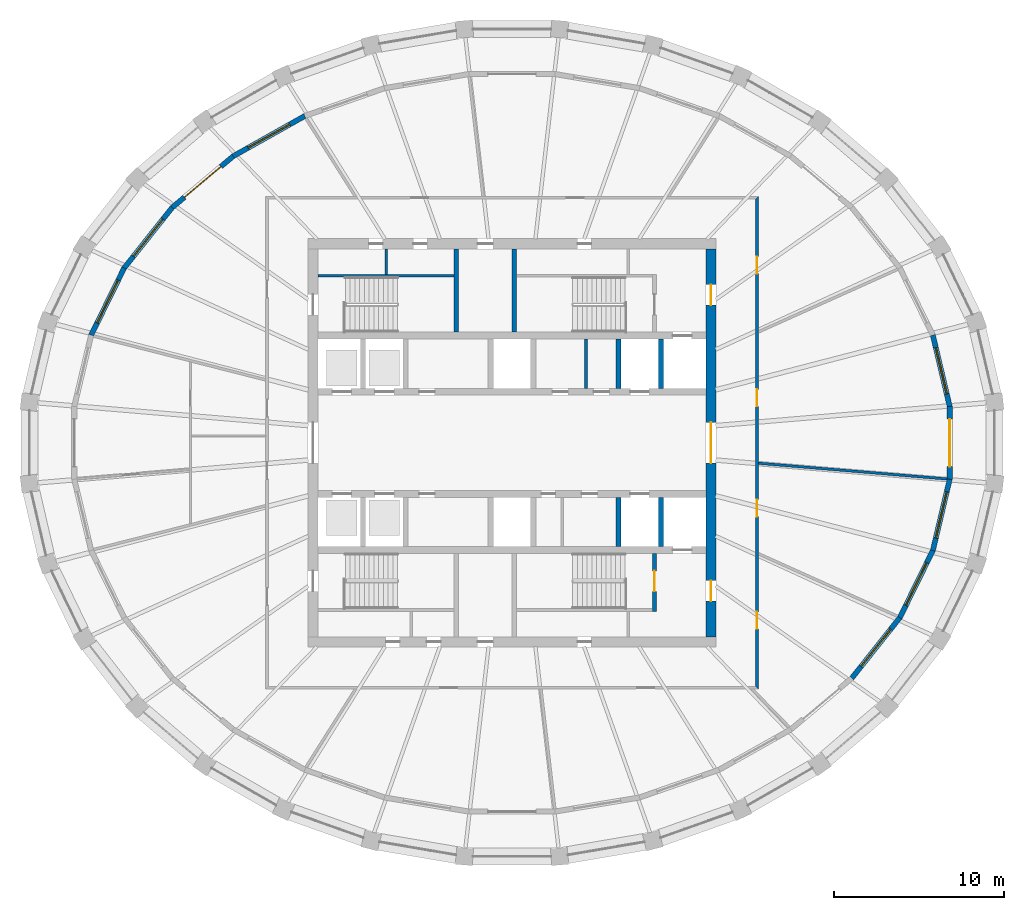
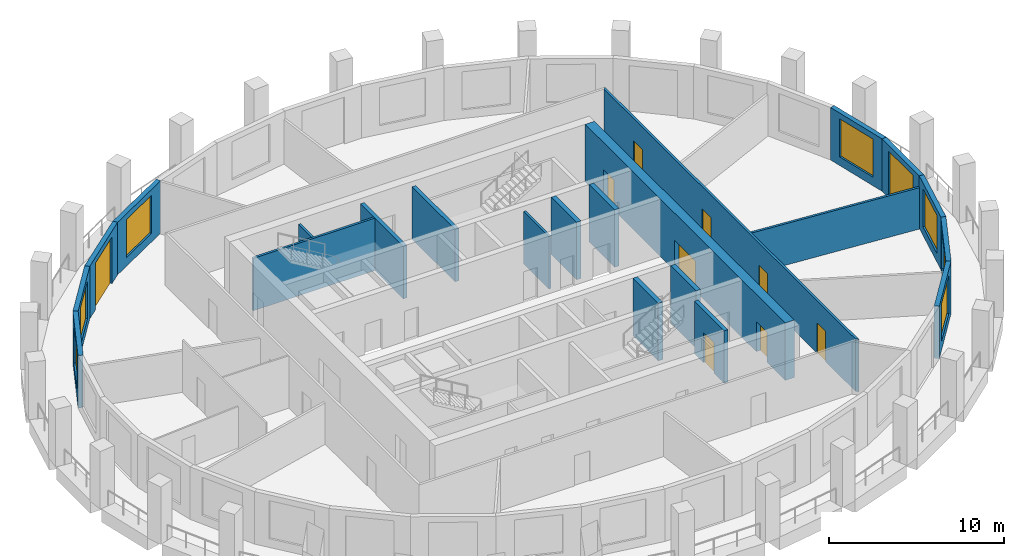
# One storey, part 5 of 10: 22 walls, 10 doors, 7 windows, 17 openings.
"""IFC4 building model written with IfcOpenShell, lengths in metres."""

from ifc_helpers import new_model, si_unit, direction, frame, frame_2d, origin, place, context, subcontext, project, spatial, polyline, rectangle, outline, extrude, material, layer, layer_set, type_object, element, fill, save


model = new_model("IFC4")

# Units and contexts
model_context = context("Model", 3, precision=1e-05, world=origin(), true_north=direction((0.0, 1.0)))
body_context = subcontext(model_context, "Body", "Model", "MODEL_VIEW")
ifc_project = project(units=[si_unit("LENGTHUNIT", "METRE"), si_unit("AREAUNIT", "SQUARE_METRE"), si_unit("VOLUMEUNIT", "CUBIC_METRE"), si_unit("PLANEANGLEUNIT", "RADIAN"), si_unit("MASSUNIT", "GRAM", prefix="KILO")], contexts=[model_context])

# Site, building, storey
site_placement = place(None, origin())
site = spatial("IfcSite", under=ifc_project, at=site_placement, CompositionType="ELEMENT")
building_placement = place(site_placement, origin())
building = spatial("IfcBuilding", under=site, at=building_placement, Name="Halqa Exchange Tower", CompositionType="ELEMENT")
storey_placement = place(building_placement, frame((0.0, 0.0, 324.300048828125)))
storey = spatial("IfcBuildingStorey", under=building, at=storey_placement, Name="L76", CompositionType="ELEMENT", Elevation=324.300048828125)

# Wall, openings, doors
ifc_material_1 = material(Name="Fire-rated gypsum board")
ifc_layer_1 = layer(ifc_material_1, 0.14990234375)
ifc_layer_set_1 = layer_set([ifc_layer_1], Name="Fire-rated gypsum board")
wall_type_1 = type_object("IfcWallType", Name="Fire partition EI 60 150", PredefinedType="PARTITIONING", material=ifc_layer_set_1)
wall_1_placement = place(storey_placement, frame((14.39990234375, -14.47509765625, 0.0), z_axis=(0.0, 0.0, 1.0), x_axis=(0.0, 1.0, 0.0)))
wall_1 = element("IfcWall", 1, at=wall_1_placement, inside=storey, type_object=wall_type_1, Name="L76-PWL-015", PredefinedType="PARTITIONING", context=body_context, shape_type="SweptSolid", body=[
    extrude(outline(polyline([(0.000244140625, -0.074951171875), (1.93017578125, -0.074951171875), (3.860107421875, -0.074951171875), (5.790283203125, -0.074951171875), (7.72021484375, -0.074951171875), (9.650146484375, -0.074951171875), (11.580078125, -0.074951171875), (13.510009765625, -0.074951171875), (15.440185546875, -0.074951171875), (17.3701171875, -0.074951171875), (19.300048828125, -0.074951171875), (21.22998046875, -0.074951171875), (23.159912109375, -0.074951171875), (25.090087890625, -0.074951171875), (27.02001953125, -0.074951171875), (28.949951171875, -0.074951171875), (28.800048828125, 0.074951171875), (26.89013671875, 0.074951171875), (24.97998046875, 0.074951171875), (23.070068359375, 0.074951171875), (21.16015625, 0.074951171875), (19.25, 0.074951171875), (17.340087890625, 0.074951171875), (15.43017578125, 0.074951171875), (13.52001953125, 0.074951171875), (11.610107421875, 0.074951171875), (9.7001953125, 0.074951171875), (7.7900390625, 0.074951171875), (5.880126953125, 0.074951171875), (3.97021484375, 0.074951171875), (2.06005859375, 0.074951171875), (0.150146484375, 0.074951171875), (0.000244140625, -0.074951171875)])), origin(), (0.0, 0.0, 1.0), 3.64990234375),
])
opening_1_placement = place(wall_1_placement, frame((24.4150390625, 0.0, 0.0)))
opening_1 = element("IfcOpeningElement", 2, at=opening_1_placement, cuts=wall_1, Name="Opening 23-01", PredefinedType="OPENING", context=body_context, shape_type="SweptSolid", body=[
    extrude(rectangle(XDim=1.0, YDim=2.10009765625, at=frame_2d((0.5, 1.050048828125))), frame((0.0, 0.0869140625, 0.0), z_axis=(0.0, -1.0, 0.0), x_axis=(1.0, 0.0, 0.0)), (0.0, 0.0, 1.0), 0.173828125),
])
opening_2_placement = place(wall_1_placement, frame((3.534912109375, 0.0, 0.0)))
opening_2 = element("IfcOpeningElement", 3, at=opening_2_placement, cuts=wall_1, Name="Opening 23-10", PredefinedType="OPENING", context=body_context, shape_type="SweptSolid", body=[
    extrude(rectangle(XDim=1.0, YDim=2.10009765625, at=frame_2d((0.5, 1.050048828125))), frame((0.0, 0.0869140625, 0.0), z_axis=(0.0, -1.0, 0.0), x_axis=(1.0, 0.0, 0.0)), (0.0, 0.0, 1.0), 0.173828125),
])
opening_3_placement = place(wall_1_placement, frame((10.139892578125, 0.0, 0.0)))
opening_3 = element("IfcOpeningElement", 4, at=opening_3_placement, cuts=wall_1, Name="Opening 23-11", PredefinedType="OPENING", context=body_context, shape_type="SweptSolid", body=[
    extrude(rectangle(XDim=1.0, YDim=2.10009765625, at=frame_2d((0.5, 1.050048828125))), frame((0.0, 0.0869140625, 0.0), z_axis=(0.0, -1.0, 0.0), x_axis=(1.0, 0.0, 0.0)), (0.0, 0.0, 1.0), 0.173828125),
])
opening_4_placement = place(wall_1_placement, frame((16.6201171875, 0.0, 0.0)))
opening_4 = element("IfcOpeningElement", 5, at=opening_4_placement, cuts=wall_1, Name="Opening 23-12", PredefinedType="OPENING", context=body_context, shape_type="SweptSolid", body=[
    extrude(rectangle(XDim=1.0, YDim=2.10009765625, at=frame_2d((0.5, 1.050048828125))), frame((0.0, 0.0869140625, 0.0), z_axis=(0.0, -1.0, 0.0), x_axis=(1.0, 0.0, 0.0)), (0.0, 0.0, 1.0), 0.173828125),
])
ifc_material_2 = material(Name="Steel fire door leaf", Category="steel")
door_type_1 = type_object("IfcDoorType", Name="Fire door FD30S 1000 x 2100", OperationType="SINGLE_SWING_LEFT", PredefinedType="DOOR", material=ifc_material_2)
door_1_placement = place(opening_1_placement, frame((1.0, 0.0, 0.0), z_axis=(0.0, 0.0, 1.0), x_axis=(-1.0, 0.0, 0.0)))
door_1 = element("IfcDoor", 6, at=door_1_placement, inside=storey, type_object=door_type_1, Name="L76-IDR-001", OperationType="SINGLE_SWING_LEFT", OverallHeight=2.10009765625, OverallWidth=1.0, PredefinedType="DOOR", context=body_context, shape_type="SweptSolid", body=[
    extrude(rectangle(XDim=1.0, YDim=2.10009765625, at=frame_2d((0.5, 1.050048828125))), frame((0.0, 0.02490234375, 0.0), z_axis=(0.0, -1.0, 0.0), x_axis=(1.0, 0.0, 0.0)), (0.0, 0.0, 1.0), 0.050048828125),
])
fill(opening_1, door_1)
door_2_placement = place(opening_2_placement, frame((1.0, 0.0, 0.0), z_axis=(0.0, 0.0, 1.0), x_axis=(-1.0, 0.0, 0.0)))
door_2 = element("IfcDoor", 7, at=door_2_placement, inside=storey, type_object=door_type_1, Name="L76-IDR-010", OperationType="SINGLE_SWING_RIGHT", OverallHeight=2.10009765625, OverallWidth=1.0, PredefinedType="DOOR", context=body_context, shape_type="SweptSolid", body=[
    extrude(rectangle(XDim=1.0, YDim=2.10009765625, at=frame_2d((0.5, 1.050048828125))), frame((0.0, 0.02490234375, 0.0), z_axis=(0.0, -1.0, 0.0), x_axis=(1.0, 0.0, 0.0)), (0.0, 0.0, 1.0), 0.050048828125),
])
fill(opening_2, door_2)
door_3_placement = place(opening_3_placement, frame((1.0, 0.0, 0.0), z_axis=(0.0, 0.0, 1.0), x_axis=(-1.0, 0.0, 0.0)))
door_3 = element("IfcDoor", 8, at=door_3_placement, inside=storey, type_object=door_type_1, Name="L76-IDR-011", OperationType="SINGLE_SWING_RIGHT", OverallHeight=2.10009765625, OverallWidth=1.0, PredefinedType="DOOR", context=body_context, shape_type="SweptSolid", body=[
    extrude(rectangle(XDim=1.0, YDim=2.10009765625, at=frame_2d((0.5, 1.050048828125))), frame((0.0, 0.02490234375, 0.0), z_axis=(0.0, -1.0, 0.0), x_axis=(1.0, 0.0, 0.0)), (0.0, 0.0, 1.0), 0.050048828125),
])
fill(opening_3, door_3)
door_4_placement = place(opening_4_placement, frame((1.0, 0.0, 0.0), z_axis=(0.0, 0.0, 1.0), x_axis=(-1.0, 0.0, 0.0)))
door_4 = element("IfcDoor", 9, at=door_4_placement, inside=storey, type_object=door_type_1, Name="L76-IDR-012", OperationType="SINGLE_SWING_RIGHT", OverallHeight=2.10009765625, OverallWidth=1.0, PredefinedType="DOOR", context=body_context, shape_type="SweptSolid", body=[
    extrude(rectangle(XDim=1.0, YDim=2.10009765625, at=frame_2d((0.5, 1.050048828125))), frame((0.0, 0.02490234375, 0.0), z_axis=(0.0, -1.0, 0.0), x_axis=(1.0, 0.0, 0.0)), (0.0, 0.0, 1.0), 0.050048828125),
])
fill(opening_4, door_4)

# Walls
wall_2_placement = place(storey_placement, frame((14.46875, -1.19580078125, 0.0), z_axis=(0.0, 0.0, 1.0), x_axis=(0.996522290584, -0.083326612611, 0.0)))
element("IfcWall", 10, at=wall_2_placement, inside=storey, type_object=wall_type_1, Name="L76-PWL-017", PredefinedType="PARTITIONING", context=body_context, shape_type="SweptSolid", body=[
    extrude(outline(polyline([(0.012451171875, -0.074951171875), (1.8662109375, -0.074951171875), (3.7197265625, -0.074951171875), (5.5732421875, -0.074951171875), (7.4267578125, -0.074951171875), (9.2802734375, -0.074951171875), (11.134033203125, -0.074951171875), (11.1396484375, -0.036865234375), (11.1396484375, 0.074951171875), (9.282958984375, 0.074951171875), (7.426513671875, 0.074951171875), (5.56982421875, 0.074951171875), (3.713134765625, 0.074951171875), (1.856689453125, 0.074951171875), (0.0, 0.074951171875), (0.012451171875, -0.074951171875)])), origin(), (0.0, 0.0, 1.0), 2.8798828125),
])
ifc_material_3 = material(Name="Gypsum board")
ifc_layer_2 = layer(ifc_material_3, 0.14990234375)
ifc_layer_set_2 = layer_set([ifc_layer_2], Name="Gypsum board")
wall_type_2 = type_object("IfcWallType", Name="Penthouse riser wall 150 gypsum", PredefinedType="PARTITIONING", material=ifc_layer_set_2)
wall_3_placement = place(storey_placement, frame((-7.39990234375, 9.89990234375, 0.0), z_axis=(0.0, 0.0, 1.0), x_axis=(0.0, 1.0, 0.0)))
element("IfcWall", 11, at=wall_3_placement, inside=storey, type_object=wall_type_2, Name="Partition W7.400 N", PredefinedType="PARTITIONING", context=body_context, shape_type="SweptSolid", body=[
    extrude(rectangle(XDim=1.5, YDim=0.14990234375, at=frame_2d((0.75, 0.0))), origin(), (0.0, 0.0, 1.0), 3.64990234375),
])
wall_4_placement = place(storey_placement, frame((4.35009765625, 3.199951171875, 0.0), z_axis=(0.0, 0.0, 1.0), x_axis=(0.0, 1.0, 0.0)))
element("IfcWall", 12, at=wall_4_placement, inside=storey, type_object=wall_type_2, Name="Freed bay partition NE4.350", PredefinedType="PARTITIONING", context=body_context, shape_type="SweptSolid", body=[
    extrude(rectangle(XDim=2.900146484375, YDim=0.14990234375, at=frame_2d((1.4501953125, 0.0))), origin(), (0.0, 0.0, 1.0), 3.64990234375),
])
ifc_material_4 = material(Name="Concrete C60/75", Category="concrete")
ifc_layer_3 = layer(ifc_material_4, 0.300048828125)
ifc_layer_set_3 = layer_set([ifc_layer_3], Name="Concrete C60/75")
wall_type_3 = type_object("IfcWallType", Name="RC core wall 300", PredefinedType="SHEAR", material=ifc_layer_set_3)
for number, where, z_axis, x_axis, name in (
    (13, (6.25, 3.199951171875, 0.0), (0.0, 0.0, 1.0), (0.0, 1.0, 0.0), "Shaft divider N7"),
    (14, (8.75, 3.199951171875, 0.0), (0.0, 0.0, 1.0), (0.0, 1.0, 0.0), "Shaft divider N8"),
    (15, (6.25, -6.10009765625, 0.0), (0.0, 0.0, 1.0), (0.0, 1.0, 0.0), "Shaft divider S7"),
    (16, (8.75, -6.10009765625, 0.0), (0.0, 0.0, 1.0), (0.0, 1.0, 0.0), "Shaft divider S8"),
):
    element("IfcWall", number, at=place(storey_placement, frame(where, z_axis=z_axis, x_axis=x_axis)), inside=storey, type_object=wall_type_3, Name=name, PredefinedType="SHEAR", context=body_context, shape_type="SweptSolid", body=[
        extrude(rectangle(XDim=2.900146484375, YDim=0.300048828125, at=frame_2d((1.4501953125, 0.0))), origin(), (0.0, 0.0, 1.0), 4.0),
    ])

# Wall, openings, doors
ifc_layer_4 = layer(ifc_material_4, 0.60009765625)
ifc_layer_set_4 = layer_set([ifc_layer_4], Name="Concrete C60/75")
wall_type_4 = type_object("IfcWallType", Name="RC core wall 600 C60/75", PredefinedType="SHEAR", material=ifc_layer_set_4)
wall_5_placement = place(storey_placement, frame((11.699951171875, -11.39990234375, 0.0), z_axis=(0.0, 0.0, 1.0), x_axis=(0.0, 1.0, 0.0)))
wall_5 = element("IfcWall", 17, at=wall_5_placement, inside=storey, type_object=wall_type_4, Name="Core wall east", PredefinedType="SHEAR", context=body_context, shape_type="SweptSolid", body=[
    extrude(rectangle(XDim=22.7998046875, YDim=0.60009765625, at=frame_2d((11.39990234375, 0.0))), origin(), (0.0, 0.0, 1.0), 4.0),
])
opening_5_placement = place(wall_5_placement, frame((10.199951171875, 0.0, 0.0)))
opening_5 = element("IfcOpeningElement", 18, at=opening_5_placement, cuts=wall_5, Name="Opening T23-C10", PredefinedType="OPENING", context=body_context, shape_type="SweptSolid", body=[
    extrude(rectangle(XDim=2.39990234375, YDim=2.10009765625, at=frame_2d((1.199951171875, 1.050048828125))), frame((0.0, 0.31201171875, 0.0), z_axis=(0.0, -1.0, 0.0), x_axis=(1.0, 0.0, 0.0)), (0.0, 0.0, 1.0), 0.6240234375),
])
opening_6_placement = place(wall_5_placement, frame((19.5, 0.0, 0.0)))
opening_6 = element("IfcOpeningElement", 19, at=opening_6_placement, cuts=wall_5, Name="Opening T23-C15", PredefinedType="OPENING", context=body_context, shape_type="SweptSolid", body=[
    extrude(rectangle(XDim=1.199951171875, YDim=2.10009765625, at=frame_2d((0.60009765625, 1.050048828125))), frame((0.0, 0.31201171875, 0.0), z_axis=(0.0, -1.0, 0.0), x_axis=(1.0, 0.0, 0.0)), (0.0, 0.0, 1.0), 0.6240234375),
])
opening_7_placement = place(wall_5_placement, frame((2.10009765625, 0.0, 0.0)))
opening_7 = element("IfcOpeningElement", 20, at=opening_7_placement, cuts=wall_5, Name="Opening T23-C16", PredefinedType="OPENING", context=body_context, shape_type="SweptSolid", body=[
    extrude(rectangle(XDim=1.199951171875, YDim=2.10009765625, at=frame_2d((0.60009765625, 1.050048828125))), frame((0.0, 0.31201171875, 0.0), z_axis=(0.0, -1.0, 0.0), x_axis=(1.0, 0.0, 0.0)), (0.0, 0.0, 1.0), 0.6240234375),
])
door_type_2 = type_object("IfcDoorType", Name="Firefighting lobby door FD90 1200 x 2100", OperationType="SINGLE_SWING_RIGHT", PredefinedType="DOOR", material=ifc_material_2)
door_5_placement = place(opening_6_placement, origin())
door_5 = element("IfcDoor", 21, at=door_5_placement, inside=storey, type_object=door_type_2, Name="Firefighting lobby door", OperationType="SINGLE_SWING_RIGHT", OverallHeight=2.10009765625, OverallWidth=1.199951171875, PredefinedType="DOOR", context=body_context, shape_type="SweptSolid", body=[
    extrude(rectangle(XDim=1.199951171875, YDim=2.10009765625, at=frame_2d((0.60009765625, 1.050048828125))), frame((0.0, 0.02490234375, 0.0), z_axis=(0.0, -1.0, 0.0), x_axis=(1.0, 0.0, 0.0)), (0.0, 0.0, 1.0), 0.050048828125),
])
fill(opening_6, door_5)
door_6_placement = place(opening_7_placement, origin())
door_6 = element("IfcDoor", 22, at=door_6_placement, inside=storey, type_object=door_type_2, Name="Firefighting lobby door", OperationType="SINGLE_SWING_LEFT", OverallHeight=2.10009765625, OverallWidth=1.199951171875, PredefinedType="DOOR", context=body_context, shape_type="SweptSolid", body=[
    extrude(rectangle(XDim=1.199951171875, YDim=2.10009765625, at=frame_2d((0.60009765625, 1.050048828125))), frame((0.0, 0.02490234375, 0.0), z_axis=(0.0, -1.0, 0.0), x_axis=(1.0, 0.0, 0.0)), (0.0, 0.0, 1.0), 0.050048828125),
])
fill(opening_7, door_6)
door_type_3 = type_object("IfcDoorType", Name="Lobby double door FD60 2400 x 2100", OperationType="DOUBLE_DOOR_SINGLE_SWING", PredefinedType="DOOR", material=ifc_material_2)
door_7_placement = place(opening_5_placement, origin())
door_7 = element("IfcDoor", 23, at=door_7_placement, inside=storey, type_object=door_type_3, Name="Lift lobby double door", OperationType="DOUBLE_DOOR_SINGLE_SWING", OverallHeight=2.10009765625, OverallWidth=2.39990234375, PredefinedType="DOOR", context=body_context, shape_type="SweptSolid", body=[
    extrude(rectangle(XDim=2.39990234375, YDim=2.10009765625, at=frame_2d((1.199951171875, 1.050048828125))), frame((0.0, 0.02490234375, 0.0), z_axis=(0.0, -1.0, 0.0), x_axis=(1.0, 0.0, 0.0)), (0.0, 0.0, 1.0), 0.050048828125),
])
fill(opening_5, door_7)

# Walls
ifc_material_5 = material(Name="Concrete C30/37", Category="concrete")
ifc_layer_5 = layer(ifc_material_5, 0.14990234375)
ifc_layer_set_5 = layer_set([ifc_layer_5], Name="Concrete C30/37")
wall_type_5 = type_object("IfcWallType", Name="RC stair wall 150 C30/37", PredefinedType="SHEAR", material=ifc_layer_set_5)
wall_6_placement = place(storey_placement, frame((-11.39990234375, 9.824951171875, 0.0), z_axis=(0.0, 0.0, 1.0), x_axis=(1.0, 0.0, 0.0)))
element("IfcWall", 24, at=wall_6_placement, inside=storey, type_object=wall_type_5, Name="Stair ST1 north wall N", PredefinedType="SHEAR", context=body_context, shape_type="SweptSolid", body=[
    extrude(rectangle(XDim=8.0, YDim=0.14990234375, at=frame_2d((4.0, 0.0))), origin(), (0.0, 0.0, 1.0), 3.64990234375),
])
ifc_layer_6 = layer(ifc_material_5, 0.25)
ifc_layer_set_6 = layer_set([ifc_layer_6], Name="Concrete C30/37")
wall_type_6 = type_object("IfcWallType", Name="RC stair wall 250 C30/37", PredefinedType="SHEAR", material=ifc_layer_set_6)
for number, where, z_axis, x_axis, name in (
    (25, (-3.27490234375, 6.5, 0.0), (0.0, 0.0, 1.0), (0.0, 1.0, 0.0), "Stair ST1 east wall N"),
    (26, (0.125, 6.5, 0.0), (0.0, 0.0, 1.0), (0.0, 1.0, 0.0), "Stair ST2 west wall N"),
):
    element("IfcWall", number, at=place(storey_placement, frame(where, z_axis=z_axis, x_axis=x_axis)), inside=storey, type_object=wall_type_6, Name=name, PredefinedType="SHEAR", context=body_context, shape_type="SweptSolid", body=[
        extrude(rectangle(XDim=4.89990234375, YDim=0.25, at=frame_2d((2.449951171875, 0.0))), origin(), (0.0, 0.0, 1.0), 3.64990234375),
    ])

# Wall, opening, door
wall_7_placement = place(storey_placement, frame((8.375, -9.89990234375, 0.0), z_axis=(0.0, 0.0, 1.0), x_axis=(0.0, 1.0, 0.0)))
wall_7 = element("IfcWall", 27, at=wall_7_placement, inside=storey, type_object=wall_type_6, Name="Stair ST2 east wall S", PredefinedType="SHEAR", context=body_context, shape_type="SweptSolid", body=[
    extrude(rectangle(XDim=3.39990234375, YDim=0.25, at=frame_2d((1.699951171875, 0.0))), origin(), (0.0, 0.0, 1.0), 3.64990234375),
])
opening_8_placement = place(wall_7_placement, frame((1.175048828125, 0.0, 0.0)))
opening_8 = element("IfcOpeningElement", 28, at=opening_8_placement, cuts=wall_7, Name="Opening T23-C14", PredefinedType="OPENING", context=body_context, shape_type="SweptSolid", body=[
    extrude(rectangle(XDim=1.199951171875, YDim=2.10009765625, at=frame_2d((0.60009765625, 1.050048828125))), frame((0.0, 0.136962890625, 0.0), z_axis=(0.0, -1.0, 0.0), x_axis=(1.0, 0.0, 0.0)), (0.0, 0.0, 1.0), 0.27392578125),
])
door_type_4 = type_object("IfcDoorType", Name="Stair door FD90 1200 x 2100", OperationType="SINGLE_SWING_LEFT", PredefinedType="DOOR", material=ifc_material_2)
door_8_placement = place(opening_8_placement, origin())
door_8 = element("IfcDoor", 29, at=door_8_placement, inside=storey, type_object=door_type_4, Name="Stair door ST4", OperationType="SINGLE_SWING_LEFT", OverallHeight=2.10009765625, OverallWidth=1.199951171875, PredefinedType="DOOR", context=body_context, shape_type="SweptSolid", body=[
    extrude(rectangle(XDim=1.199951171875, YDim=2.10009765625, at=frame_2d((0.60009765625, 1.050048828125))), frame((0.0, 0.02490234375, 0.0), z_axis=(0.0, -1.0, 0.0), x_axis=(1.0, 0.0, 0.0)), (0.0, 0.0, 1.0), 0.050048828125),
])
fill(opening_8, door_8)

# Wall, opening, window
ifc_material_6 = material(Name="Limestone cladding", Category="masonry")
ifc_layer_7 = layer(ifc_material_6, 0.0400390625)
ifc_material_7 = material(Name="Ventilated cavity")
ifc_layer_8 = layer(ifc_material_7, 0.030029296875, ventilated=True)
ifc_material_8 = material(Name="Mineral wool insulation")
ifc_layer_9 = layer(ifc_material_8, 0.10009765625)
ifc_layer_10 = layer(ifc_material_5, 0.10009765625)
ifc_material_9 = material(Name="Internal plaster")
ifc_layer_11 = layer(ifc_material_9, 0.030029296875)
ifc_layer_set_7 = layer_set([ifc_layer_7, ifc_layer_8, ifc_layer_9, ifc_layer_10, ifc_layer_11], Name="Stone-faced insulated wall 300")
wall_type_7 = type_object("IfcWallType", Name="Stone-faced insulated wall 300", PredefinedType="STANDARD", material=ifc_layer_set_7)
wall_8_placement = place(storey_placement, frame((25.726318359375, 2.137451171875, 0.0), z_axis=(0.0, 0.0, 1.0), x_axis=(-0.229993247212, 0.97319222471, 0.0)))
wall_8 = element("IfcWall", 30, at=wall_8_placement, inside=storey, type_object=wall_type_7, Name="Glass-line wall 1", PredefinedType="STANDARD", context=body_context, shape_type="SweptSolid", body=[
    extrude(outline(polyline([(-0.017578125, -0.14990234375), (4.32470703125, -0.14990234375), (4.29052734375, 0.14990234375), (0.017578125, 0.14990234375), (-0.017578125, -0.14990234375)])), origin(), (0.0, 0.0, 1.0), 3.64990234375),
])
opening_9_placement = place(wall_8_placement, frame((0.753662109375, 0.0, 0.60009765625)))
opening_9 = element("IfcOpeningElement", 31, at=opening_9_placement, cuts=wall_8, Name="Opening W-F4-01", PredefinedType="OPENING", context=body_context, shape_type="SweptSolid", body=[
    extrude(rectangle(XDim=2.800048828125, YDim=2.64990234375, at=frame_2d((1.39990234375, 1.324951171875))), frame((0.0, 0.162109375, 0.0), z_axis=(0.0, -1.0, 0.0), x_axis=(1.0, 0.0, 0.0)), (0.0, 0.0, 1.0), 0.323974609375),
])
ifc_material_10 = material(Name="Clear low-emissivity glass in aluminium frame", Category="aluminium")
window_type = type_object("IfcWindowType", Name="Fixed clear glazed window 2800 x 2650", PartitioningType="DOUBLE_PANEL_VERTICAL", PredefinedType="WINDOW", material=ifc_material_10)
window_1_placement = place(opening_9_placement, origin())
window_1 = element("IfcWindow", 32, at=window_1_placement, inside=storey, type_object=window_type, Name="Window 4", OverallHeight=2.64990234375, OverallWidth=2.800048828125, PartitioningType="DOUBLE_PANEL_VERTICAL", PredefinedType="WINDOW", context=body_context, shape_type="SweptSolid", body=[
    extrude(rectangle(XDim=2.800048828125, YDim=2.64990234375, at=frame_2d((1.39990234375, 1.324951171875))), frame((0.0, 0.030029296875, 0.0), z_axis=(0.0, -1.0, 0.0), x_axis=(1.0, 0.0, 0.0)), (0.0, 0.0, 1.0), 0.06005859375),
])
fill(opening_9, window_1)

wall_9_placement = place(storey_placement, frame((-12.1767578125, 19.2119140625, 0.0), z_axis=(0.0, 0.0, 1.0), x_axis=(-0.871651071333, -0.49012693238, 0.0)))
wall_9 = element("IfcWall", 33, at=wall_9_placement, inside=storey, type_object=wall_type_7, Name="Glass-line wall 11", PredefinedType="STANDARD", context=body_context, shape_type="SweptSolid", body=[
    extrude(outline(polyline([(-0.01318359375, -0.14990234375), (4.847412109375, -0.14990234375), (4.819091796875, 0.14990234375), (0.01318359375, 0.14990234375), (-0.01318359375, -0.14990234375)])), origin(), (0.0, 0.0, 1.0), 3.64990234375),
])
opening_10_placement = place(wall_9_placement, frame((1.0166015625, 0.0, 0.60009765625)))
opening_10 = element("IfcOpeningElement", 34, at=opening_10_placement, cuts=wall_9, Name="Opening W-F4-11", PredefinedType="OPENING", context=body_context, shape_type="SweptSolid", body=[
    extrude(rectangle(XDim=2.800048828125, YDim=2.64990234375, at=frame_2d((1.39990234375, 1.324951171875))), frame((0.0, 0.162109375, 0.0), z_axis=(0.0, -1.0, 0.0), x_axis=(1.0, 0.0, 0.0)), (0.0, 0.0, 1.0), 0.323974609375),
])
window_2_placement = place(opening_10_placement, origin())
window_2 = element("IfcWindow", 35, at=window_2_placement, inside=storey, type_object=window_type, Name="Window 4", OverallHeight=2.64990234375, OverallWidth=2.800048828125, PartitioningType="DOUBLE_PANEL_VERTICAL", PredefinedType="WINDOW", context=body_context, shape_type="SweptSolid", body=[
    extrude(rectangle(XDim=2.800048828125, YDim=2.64990234375, at=frame_2d((1.39990234375, 1.324951171875))), frame((0.0, 0.030029296875, 0.0), z_axis=(0.0, -1.0, 0.0), x_axis=(1.0, 0.0, 0.0)), (0.0, 0.0, 1.0), 0.06005859375),
])
fill(opening_10, window_2)

# Wall, opening, door
wall_10_placement = place(storey_placement, frame((-16.3896484375, 16.843017578125, 0.0), z_axis=(0.0, 0.0, 1.0), x_axis=(-0.765128700347, -0.643877373344, 0.0)))
wall_10 = element("IfcWall", 36, at=wall_10_placement, inside=storey, type_object=wall_type_7, Name="Glass-line wall 12", PredefinedType="STANDARD", context=body_context, shape_type="SweptSolid", body=[
    extrude(outline(polyline([(-0.01416015625, -0.14990234375), (4.70068359375, -0.14990234375), (4.67041015625, 0.14990234375), (0.01416015625, 0.14990234375), (-0.01416015625, -0.14990234375)])), origin(), (0.0, 0.0, 1.0), 3.64990234375),
])
opening_11_placement = place(wall_10_placement, frame((0.942626953125, 0.0, 0.0)))
opening_11 = element("IfcOpeningElement", 37, at=opening_11_placement, cuts=wall_10, Name="Opening LG-F4-03", PredefinedType="OPENING", context=body_context, shape_type="SweptSolid", body=[
    extrude(rectangle(XDim=2.800048828125, YDim=3.25, at=frame_2d((1.39990234375, 1.625))), frame((0.0, 0.162109375, 0.0), z_axis=(0.0, -1.0, 0.0), x_axis=(1.0, 0.0, 0.0)), (0.0, 0.0, 1.0), 0.323974609375),
])
door_type_5 = type_object("IfcDoorType", Name="Glazed sliding loggia door 2800 x 3250", OperationType="DOUBLE_DOOR_SLIDING", PredefinedType="DOOR", material=ifc_material_10)
door_9_placement = place(opening_11_placement, origin())
door_9 = element("IfcDoor", 38, at=door_9_placement, inside=storey, type_object=door_type_5, Name="Loggia door 3", OperationType="DOUBLE_DOOR_SLIDING", OverallHeight=3.25, OverallWidth=2.800048828125, PredefinedType="DOOR", context=body_context, shape_type="SweptSolid", body=[
    extrude(rectangle(XDim=2.800048828125, YDim=3.25, at=frame_2d((1.39990234375, 1.625))), frame((0.0, 0.02490234375, 0.0), z_axis=(0.0, -1.0, 0.0), x_axis=(1.0, 0.0, 0.0)), (0.0, 0.0, 1.0), 0.050048828125),
])
fill(opening_11, door_9)

# Wall, opening, window
wall_11_placement = place(storey_placement, frame((-19.974609375, 13.826171875, 0.0), z_axis=(0.0, 0.0, 1.0), x_axis=(-0.621800530555, -0.783175650925, 0.0)))
wall_11 = element("IfcWall", 39, at=wall_11_placement, inside=storey, type_object=wall_type_7, Name="Glass-line wall 13", PredefinedType="STANDARD", context=body_context, shape_type="SweptSolid", body=[
    extrude(outline(polyline([(-0.01513671875, -0.14990234375), (4.548583984375, -0.14990234375), (4.516357421875, 0.14990234375), (0.01513671875, 0.14990234375), (-0.01513671875, -0.14990234375)])), origin(), (0.0, 0.0, 1.0), 3.64990234375),
])
opening_12_placement = place(wall_11_placement, frame((0.8662109375, 0.0, 0.60009765625)))
opening_12 = element("IfcOpeningElement", 40, at=opening_12_placement, cuts=wall_11, Name="Opening W-F4-13", PredefinedType="OPENING", context=body_context, shape_type="SweptSolid", body=[
    extrude(rectangle(XDim=2.800048828125, YDim=2.64990234375, at=frame_2d((1.39990234375, 1.324951171875))), frame((0.0, 0.162109375, 0.0), z_axis=(0.0, -1.0, 0.0), x_axis=(1.0, 0.0, 0.0)), (0.0, 0.0, 1.0), 0.323974609375),
])
window_3_placement = place(opening_12_placement, origin())
window_3 = element("IfcWindow", 41, at=window_3_placement, inside=storey, type_object=window_type, Name="Window 4", OverallHeight=2.64990234375, OverallWidth=2.800048828125, PartitioningType="DOUBLE_PANEL_VERTICAL", PredefinedType="WINDOW", context=body_context, shape_type="SweptSolid", body=[
    extrude(rectangle(XDim=2.800048828125, YDim=2.64990234375, at=frame_2d((1.39990234375, 1.324951171875))), frame((0.0, 0.030029296875, 0.0), z_axis=(0.0, -1.0, 0.0), x_axis=(1.0, 0.0, 0.0)), (0.0, 0.0, 1.0), 0.06005859375),
])
fill(opening_12, window_3)

wall_12_placement = place(storey_placement, frame((-22.79296875, 10.2763671875, 0.0), z_axis=(0.0, 0.0, 1.0), x_axis=(-0.441610485853, -0.897206876247, 0.0)))
wall_12 = element("IfcWall", 42, at=wall_12_placement, inside=storey, type_object=wall_type_7, Name="Glass-line wall 14", PredefinedType="STANDARD", context=body_context, shape_type="SweptSolid", body=[
    extrude(outline(polyline([(-0.01611328125, -0.14990234375), (4.416015625, -0.14990234375), (4.3818359375, 0.14990234375), (0.01611328125, 0.14990234375), (-0.01611328125, -0.14990234375)])), origin(), (0.0, 0.0, 1.0), 3.64990234375),
])
opening_13_placement = place(wall_12_placement, frame((0.799560546875, 0.0, 0.60009765625)))
opening_13 = element("IfcOpeningElement", 43, at=opening_13_placement, cuts=wall_12, Name="Opening W-F4-14", PredefinedType="OPENING", context=body_context, shape_type="SweptSolid", body=[
    extrude(rectangle(XDim=2.800048828125, YDim=2.64990234375, at=frame_2d((1.39990234375, 1.324951171875))), frame((0.0, 0.162109375, 0.0), z_axis=(0.0, -1.0, 0.0), x_axis=(1.0, 0.0, 0.0)), (0.0, 0.0, 1.0), 0.323974609375),
])
window_4_placement = place(opening_13_placement, origin())
window_4 = element("IfcWindow", 44, at=window_4_placement, inside=storey, type_object=window_type, Name="Window 4", OverallHeight=2.64990234375, OverallWidth=2.800048828125, PartitioningType="DOUBLE_PANEL_VERTICAL", PredefinedType="WINDOW", context=body_context, shape_type="SweptSolid", body=[
    extrude(rectangle(XDim=2.800048828125, YDim=2.64990234375, at=frame_2d((1.39990234375, 1.324951171875))), frame((0.0, 0.030029296875, 0.0), z_axis=(0.0, -1.0, 0.0), x_axis=(1.0, 0.0, 0.0)), (0.0, 0.0, 1.0), 0.06005859375),
])
fill(opening_13, window_4)

wall_13_placement = place(storey_placement, frame((19.974609375, -13.826171875, 0.0), z_axis=(0.0, 0.0, 1.0), x_axis=(0.621800530555, 0.783175650925, 0.0)))
wall_13 = element("IfcWall", 45, at=wall_13_placement, inside=storey, type_object=wall_type_7, Name="Glass-line wall 29", PredefinedType="STANDARD", context=body_context, shape_type="SweptSolid", body=[
    extrude(outline(polyline([(-0.01513671875, -0.14990234375), (4.548583984375, -0.14990234375), (4.516357421875, 0.14990234375), (0.01513671875, 0.14990234375), (-0.01513671875, -0.14990234375)])), origin(), (0.0, 0.0, 1.0), 3.64990234375),
])
opening_14_placement = place(wall_13_placement, frame((0.8662109375, 0.0, 0.60009765625)))
opening_14 = element("IfcOpeningElement", 46, at=opening_14_placement, cuts=wall_13, Name="Opening W-F4-29", PredefinedType="OPENING", context=body_context, shape_type="SweptSolid", body=[
    extrude(rectangle(XDim=2.800048828125, YDim=2.64990234375, at=frame_2d((1.39990234375, 1.324951171875))), frame((0.0, 0.162109375, 0.0), z_axis=(0.0, -1.0, 0.0), x_axis=(1.0, 0.0, 0.0)), (0.0, 0.0, 1.0), 0.323974609375),
])
window_5_placement = place(opening_14_placement, origin())
window_5 = element("IfcWindow", 47, at=window_5_placement, inside=storey, type_object=window_type, Name="Window 4", OverallHeight=2.64990234375, OverallWidth=2.800048828125, PartitioningType="DOUBLE_PANEL_VERTICAL", PredefinedType="WINDOW", context=body_context, shape_type="SweptSolid", body=[
    extrude(rectangle(XDim=2.800048828125, YDim=2.64990234375, at=frame_2d((1.39990234375, 1.324951171875))), frame((0.0, 0.030029296875, 0.0), z_axis=(0.0, -1.0, 0.0), x_axis=(1.0, 0.0, 0.0)), (0.0, 0.0, 1.0), 0.06005859375),
])
fill(opening_14, window_5)

wall_14_placement = place(storey_placement, frame((22.79296875, -10.2763671875, 0.0), z_axis=(0.0, 0.0, 1.0), x_axis=(0.441610485853, 0.897206876247, 0.0)))
wall_14 = element("IfcWall", 48, at=wall_14_placement, inside=storey, type_object=wall_type_7, Name="Glass-line wall 30", PredefinedType="STANDARD", context=body_context, shape_type="SweptSolid", body=[
    extrude(outline(polyline([(-0.01611328125, -0.14990234375), (4.416015625, -0.14990234375), (4.3818359375, 0.14990234375), (0.01611328125, 0.14990234375), (-0.01611328125, -0.14990234375)])), origin(), (0.0, 0.0, 1.0), 3.64990234375),
])
opening_15_placement = place(wall_14_placement, frame((0.799560546875, 0.0, 0.60009765625)))
opening_15 = element("IfcOpeningElement", 49, at=opening_15_placement, cuts=wall_14, Name="Opening W-F4-30", PredefinedType="OPENING", context=body_context, shape_type="SweptSolid", body=[
    extrude(rectangle(XDim=2.800048828125, YDim=2.64990234375, at=frame_2d((1.39990234375, 1.324951171875))), frame((0.0, 0.162109375, 0.0), z_axis=(0.0, -1.0, 0.0), x_axis=(1.0, 0.0, 0.0)), (0.0, 0.0, 1.0), 0.323974609375),
])
window_6_placement = place(opening_15_placement, origin())
window_6 = element("IfcWindow", 50, at=window_6_placement, inside=storey, type_object=window_type, Name="Window 4", OverallHeight=2.64990234375, OverallWidth=2.800048828125, PartitioningType="DOUBLE_PANEL_VERTICAL", PredefinedType="WINDOW", context=body_context, shape_type="SweptSolid", body=[
    extrude(rectangle(XDim=2.800048828125, YDim=2.64990234375, at=frame_2d((1.39990234375, 1.324951171875))), frame((0.0, 0.030029296875, 0.0), z_axis=(0.0, -1.0, 0.0), x_axis=(1.0, 0.0, 0.0)), (0.0, 0.0, 1.0), 0.06005859375),
])
fill(opening_15, window_6)

wall_15_placement = place(storey_placement, frame((24.735595703125, -6.32958984375, 0.0), z_axis=(0.0, 0.0, 1.0), x_axis=(0.229993247212, 0.97319222471, 0.0)))
wall_15 = element("IfcWall", 51, at=wall_15_placement, inside=storey, type_object=wall_type_7, Name="Glass-line wall 31", PredefinedType="STANDARD", context=body_context, shape_type="SweptSolid", body=[
    extrude(outline(polyline([(-0.01708984375, -0.14990234375), (4.3251953125, -0.14990234375), (4.2900390625, 0.14990234375), (0.01708984375, 0.14990234375), (-0.01708984375, -0.14990234375)])), origin(), (0.0, 0.0, 1.0), 3.64990234375),
])
opening_16_placement = place(wall_15_placement, frame((0.753662109375, 0.0, 0.60009765625)))
opening_16 = element("IfcOpeningElement", 52, at=opening_16_placement, cuts=wall_15, Name="Opening W-F4-31", PredefinedType="OPENING", context=body_context, shape_type="SweptSolid", body=[
    extrude(rectangle(XDim=2.800048828125, YDim=2.64990234375, at=frame_2d((1.39990234375, 1.324951171875))), frame((0.0, 0.162109375, 0.0), z_axis=(0.0, -1.0, 0.0), x_axis=(1.0, 0.0, 0.0)), (0.0, 0.0, 1.0), 0.323974609375),
])
window_7_placement = place(opening_16_placement, origin())
window_7 = element("IfcWindow", 53, at=window_7_placement, inside=storey, type_object=window_type, Name="Window 4", OverallHeight=2.64990234375, OverallWidth=2.800048828125, PartitioningType="DOUBLE_PANEL_VERTICAL", PredefinedType="WINDOW", context=body_context, shape_type="SweptSolid", body=[
    extrude(rectangle(XDim=2.800048828125, YDim=2.64990234375, at=frame_2d((1.39990234375, 1.324951171875))), frame((0.0, 0.030029296875, 0.0), z_axis=(0.0, -1.0, 0.0), x_axis=(1.0, 0.0, 0.0)), (0.0, 0.0, 1.0), 0.06005859375),
])
fill(opening_16, window_7)

# Wall, opening, door
wall_16_placement = place(storey_placement, frame((25.726318359375, -2.137451171875, 0.0), z_axis=(0.0, 0.0, 1.0), x_axis=(0.0, 1.0, 0.0)))
wall_16 = element("IfcWall", 54, at=wall_16_placement, inside=storey, type_object=wall_type_7, Name="Glass-line wall 32", PredefinedType="STANDARD", context=body_context, shape_type="SweptSolid", body=[
    extrude(outline(polyline([(-0.017578125, -0.14990234375), (4.29248046875, -0.14990234375), (4.25732421875, 0.14990234375), (0.017578125, 0.14990234375), (-0.017578125, -0.14990234375)])), origin(), (0.0, 0.0, 1.0), 3.64990234375),
])
opening_17_placement = place(wall_16_placement, frame((0.737548828125, 0.0, 0.0)))
opening_17 = element("IfcOpeningElement", 55, at=opening_17_placement, cuts=wall_16, Name="Opening LG-F4-08", PredefinedType="OPENING", context=body_context, shape_type="SweptSolid", body=[
    extrude(rectangle(XDim=2.800048828125, YDim=3.25, at=frame_2d((1.39990234375, 1.625))), frame((0.0, 0.162109375, 0.0), z_axis=(0.0, -1.0, 0.0), x_axis=(1.0, 0.0, 0.0)), (0.0, 0.0, 1.0), 0.323974609375),
])
door_10_placement = place(opening_17_placement, origin())
door_10 = element("IfcDoor", 56, at=door_10_placement, inside=storey, type_object=door_type_5, Name="Loggia door 8", OperationType="DOUBLE_DOOR_SLIDING", OverallHeight=3.25, OverallWidth=2.800048828125, PredefinedType="DOOR", context=body_context, shape_type="SweptSolid", body=[
    extrude(rectangle(XDim=2.800048828125, YDim=3.25, at=frame_2d((1.39990234375, 1.625))), frame((0.0, 0.02490234375, 0.0), z_axis=(0.0, -1.0, 0.0), x_axis=(1.0, 0.0, 0.0)), (0.0, 0.0, 1.0), 0.050048828125),
])
fill(opening_17, door_10)

save(model, "model.ifc")
